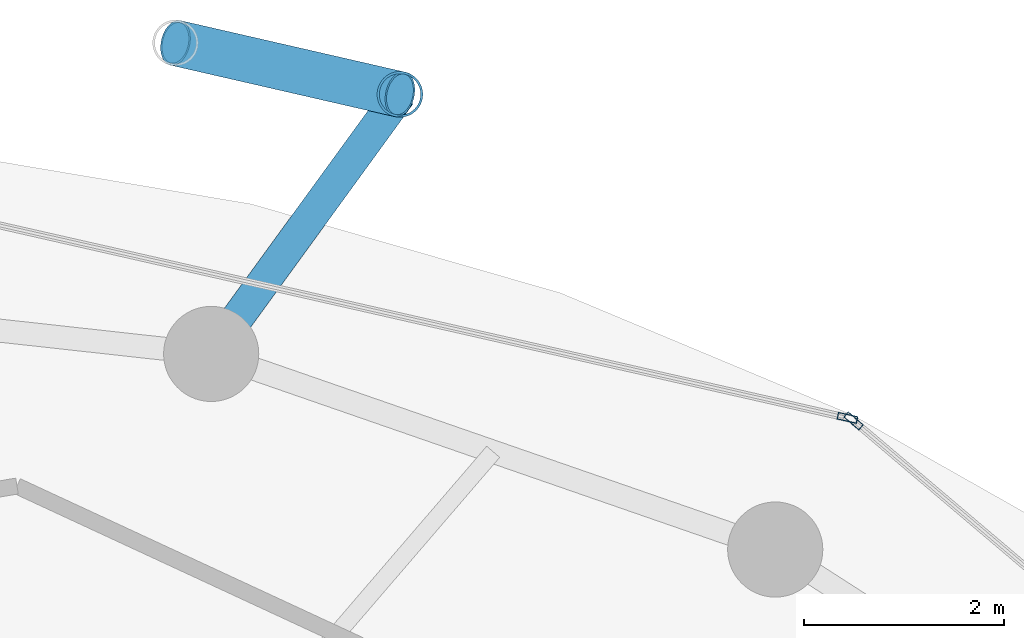
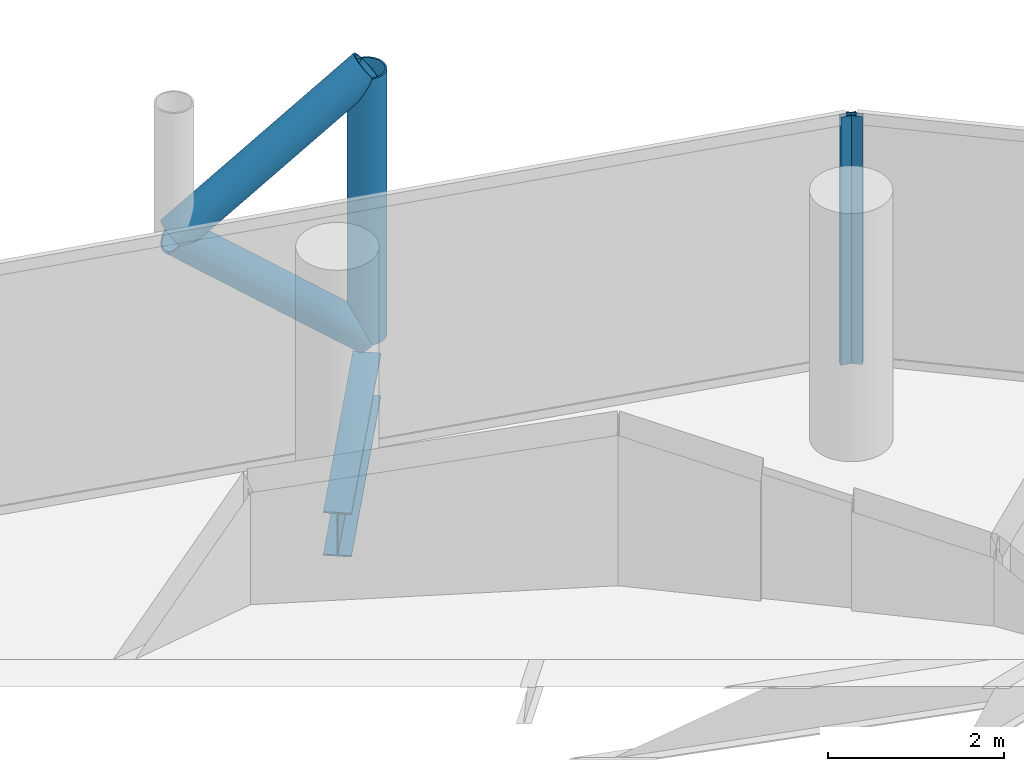
# One storey, part 20 of 26: 5 members, 1 beam, 2 elements without a shape of their own.
"""IFC4 building model written with IfcOpenShell, lengths in metres."""

import ifcopenshell
import ifcopenshell.guid

model = None  # the IFC model being written
_history = None  # IfcOwnerHistory: only IFC2X3 demands one
_inside = {}  # id of a spatial element -> (the spatial element, [elements in it])
_under = {}  # id of a project, library or spatial element -> (it, [spatial elements below it])
_declared = {}  # id of a project -> (the project, [libraries it declares])
_typed = {}  # id of a type object -> (the type object, [elements of that type])
_made_of = {}  # id of a material, layer set ... -> (it, [elements and type objects made of it])


def new_model(schema):
    """Start an empty IFC model of exactly this schema.

    Asked for "IFC4X3", IfcOpenShell would pick the latest addendum, in which some entities
    have other attributes; the version numbers below select the first issue.
    IFC2X3 requires an IfcOwnerHistory on every rooted entity: one is made here for all.
    """
    global model, _history
    if schema == "IFC4X3":
        model = ifcopenshell.file(schema_version=(4, 3, 0, 0))
    else:
        model = ifcopenshell.file(schema=schema)
    _inside.clear()
    _under.clear()
    _declared.clear()
    _typed.clear()
    _made_of.clear()
    _history = None
    if model.schema == "IFC2X3":
        org = make("IfcOrganization", Name="unknown")
        user = make(
            "IfcPersonAndOrganization",
            ThePerson=make("IfcPerson", FamilyName="unknown"),
            TheOrganization=org,
        )
        app = make(
            "IfcApplication",
            ApplicationDeveloper=org,
            Version="unknown",
            ApplicationFullName="unknown",
            ApplicationIdentifier="unknown",
        )
        _history = make(
            "IfcOwnerHistory",
            OwningUser=user,
            OwningApplication=app,
            ChangeAction="ADDED",
            CreationDate=0,
        )
    return model


def make(cls, **values):
    """One entity of the class cls with the attributes given. An attribute that is None is left unset."""
    return model.create_entity(
        cls, **{name: value for name, value in values.items() if value is not None}
    )


def rooted(cls, **values):
    """An entity with a GlobalId (a new one), such as an element, a storey or a relation."""
    return make(cls, GlobalId=ifcopenshell.guid.new(), OwnerHistory=_history, **values)


def si_unit(unit_type, name, prefix=None):
    """IfcSIUnit, for example si_unit("LENGTHUNIT", "METRE", prefix="MILLI")."""
    return make("IfcSIUnit", UnitType=unit_type, Prefix=prefix, Name=name)


def assignment(units):
    """IfcUnitAssignment: the units of a project."""
    return None if units is None else make("IfcUnitAssignment", Units=units)


def point(xyz):
    """IfcCartesianPoint."""
    return None if xyz is None else make("IfcCartesianPoint", Coordinates=xyz)


def direction(xyz):
    """IfcDirection."""
    return None if xyz is None else make("IfcDirection", DirectionRatios=xyz)


def frame(location, z_axis=None, x_axis=None):
    """IfcAxis2Placement3D, a coordinate frame: its origin and axes. An axis left out is left unset."""
    return make(
        "IfcAxis2Placement3D",
        Location=point(location),
        Axis=direction(z_axis),
        RefDirection=direction(x_axis),
    )


def frame_2d(location, x_axis=None):
    """IfcAxis2Placement2D, a coordinate frame in the plane: its origin and x axis."""
    return make(
        "IfcAxis2Placement2D", Location=point(location), RefDirection=direction(x_axis)
    )


def origin():
    """The frame at (0, 0, 0) with its axes left unset."""
    return frame((0.0, 0.0, 0.0))


def origin_2d():
    """The frame at (0, 0) in the plane with its x axis left unset."""
    return frame_2d((0.0, 0.0))


def place(relative_to, where):
    """IfcLocalPlacement: puts the frame where relative to a parent placement (None: the world)."""
    return make(
        "IfcLocalPlacement", PlacementRelTo=relative_to, RelativePlacement=where
    )


def context(
    kind, dimensions, precision=None, world=None, true_north=None, identifier=None
):
    """IfcGeometricRepresentationContext, for example the 3D "Model" context."""
    return make(
        "IfcGeometricRepresentationContext",
        ContextIdentifier=identifier,
        ContextType=kind,
        CoordinateSpaceDimension=dimensions,
        Precision=precision,
        WorldCoordinateSystem=world,
        TrueNorth=true_north,
    )


def subcontext(parent, identifier, kind, view, scale=None):
    """IfcGeometricRepresentationSubContext, for example "Body" below "Model"."""
    return make(
        "IfcGeometricRepresentationSubContext",
        ContextIdentifier=identifier,
        ContextType=kind,
        ParentContext=parent,
        TargetScale=scale,
        TargetView=view,
    )


def project(units=None, contexts=None):
    """IfcProject with its units and contexts."""
    return rooted(
        "IfcProject",
        Name="project",
        RepresentationContexts=contexts,
        UnitsInContext=assignment(units),
    )


def spatial(cls, under=None, at=None, **own):
    """A site, building, storey or space (cls), placed at a placement, below another one or the project."""
    s = rooted(cls, ObjectPlacement=at, **own)
    if under is not None:
        _under.setdefault(under.id(), (under, []))[1].append(s)
    return s


def profile(cls, at=None, kind="AREA", **sizes):
    """A parametric profile (cls). Its sizes go by their IFC names, for example OverallWidth=200.0."""
    return make(cls, ProfileType=kind, Position=at, **sizes)


def hollow_rectangle(**sizes):
    """IfcRectangleHollowProfileDef."""
    return profile("IfcRectangleHollowProfileDef", **sizes)


def hollow_circle(**sizes):
    """IfcCircleHollowProfileDef."""
    return profile("IfcCircleHollowProfileDef", **sizes)


def i_section(**sizes):
    """IfcIShapeProfileDef."""
    return profile("IfcIShapeProfileDef", **sizes)


def extrude(swept, where, along, depth):
    """IfcExtrudedAreaSolid: the profile swept, set in the frame where, extruded along a direction by depth."""
    return make(
        "IfcExtrudedAreaSolid",
        SweptArea=swept,
        Position=where,
        ExtrudedDirection=direction(along),
        Depth=depth,
    )


def shape(context_of_items, identifier, shape_type, items):
    """IfcShapeRepresentation: the items that make up one representation, for example the "Body"."""
    return make(
        "IfcShapeRepresentation",
        ContextOfItems=context_of_items,
        RepresentationIdentifier=identifier,
        RepresentationType=shape_type,
        Items=items,
    )


def material(Name=None, Category=None):
    """IfcMaterial."""
    return make("IfcMaterial", Name=Name, Category=Category)


def layer(
    of_material, thickness, ventilated=None, Name=None, Category=None, Priority=None
):
    """IfcMaterialLayer: one layer of a wall or slab, of a material (None: an air gap)."""
    return make(
        "IfcMaterialLayer",
        Material=of_material,
        LayerThickness=thickness,
        IsVentilated=ventilated,
        Name=Name,
        Category=Category,
        Priority=Priority,
    )


def layer_set(layers, Name=None):
    """IfcMaterialLayerSet."""
    return make("IfcMaterialLayerSet", MaterialLayers=layers, LayerSetName=Name)


def material_profile(
    of_material, cross_section, Name=None, Category=None, Priority=None
):
    """IfcMaterialProfile: a cross section and its material."""
    return make(
        "IfcMaterialProfile",
        Name=Name,
        Material=of_material,
        Profile=cross_section,
        Priority=Priority,
        Category=Category,
    )


def profile_set(profiles, Name=None, composite=None):
    """IfcMaterialProfileSet."""
    return make(
        "IfcMaterialProfileSet",
        Name=Name,
        MaterialProfiles=profiles,
        CompositeProfile=composite,
    )


def made_of(thing, what):
    """Note that an element or type object is made of a material, layer set ...; save() writes the relation."""
    if what is not None:
        _made_of.setdefault(what.id(), (what, []))[1].append(thing)
    return thing


def type_object(cls, material=None, **own):
    """A type object (cls), such as IfcWallType, which elements share."""
    return made_of(rooted(cls, **own), material)


def element(
    cls,
    number,
    at=None,
    inside=None,
    cuts=None,
    type_object=None,
    material=None,
    context=None,
    identifier="Body",
    shape_type=None,
    held_by="IfcProductDefinitionShape",
    body=None,
    shapes=None,
    **own,
):
    """One element of the class cls, such as IfcWall. Its Tag is "e" and its number.

    at: its placement. inside: the storey or other place that contains it. cuts: it is an
    opening in that element (IfcRelVoidsElement). A single representation is given by context,
    identifier, shape_type and body (its items); several are given by shapes. held_by: the class
    of the entity that holds the representations. save() writes the other relations.
    """
    e = rooted(cls, Tag="e%d" % number, ObjectPlacement=at, **own)
    if body is not None:
        shapes = [shape(context, identifier, shape_type, body)]
    if shapes is not None:
        e.Representation = make(held_by, Representations=shapes)
    if inside is not None:
        _inside.setdefault(inside.id(), (inside, []))[1].append(e)
    if cuts is not None:
        rooted(
            "IfcRelVoidsElement", RelatingBuildingElement=cuts, RelatedOpeningElement=e
        )
    if type_object is not None:
        _typed.setdefault(type_object.id(), (type_object, []))[1].append(e)
    return made_of(e, material)


def aggregate(whole, parts):
    """IfcRelAggregates: a whole, such as a stair, and the parts it consists of."""
    return rooted("IfcRelAggregates", RelatingObject=whole, RelatedObjects=parts)


def save(model, path):
    """Write the relations noted so far, then the file.

    IfcRelAggregates (storeys below a building ...), IfcRelContainedInSpatialStructure (elements
    in a storey), IfcRelDefinesByType, IfcRelAssociatesMaterial and IfcRelDeclares: one each for
    every whole, place, type object, material and project.
    """
    for whole, parts in _under.values():
        aggregate(whole, parts)
    for where, things in _inside.values():
        rooted(
            "IfcRelContainedInSpatialStructure",
            RelatedElements=things,
            RelatingStructure=where,
        )
    for kind, things in _typed.values():
        rooted("IfcRelDefinesByType", RelatedObjects=things, RelatingType=kind)
    for what, things in _made_of.values():
        rooted("IfcRelAssociatesMaterial", RelatedObjects=things, RelatingMaterial=what)
    for by, libraries in _declared.values():
        rooted("IfcRelDeclares", RelatingContext=by, RelatedDefinitions=libraries)
    model.write(path)


model = new_model("IFC4")

# Units and contexts
model_context = context("Model", 3, precision=1e-05, world=origin(), true_north=direction((0.0, 1.0)))
body_context = subcontext(model_context, "Body", "Model", "MODEL_VIEW")
ifc_project = project(units=[si_unit("LENGTHUNIT", "METRE"), si_unit("AREAUNIT", "SQUARE_METRE"), si_unit("VOLUMEUNIT", "CUBIC_METRE"), si_unit("PLANEANGLEUNIT", "RADIAN"), si_unit("MASSUNIT", "GRAM", prefix="KILO")], contexts=[model_context])

# Site, building, storey
site_placement = place(None, origin())
site = spatial("IfcSite", under=ifc_project, at=site_placement, CompositionType="ELEMENT")
building_placement = place(site_placement, origin())
building = spatial("IfcBuilding", under=site, at=building_placement, Name="Nuhasar Tower", CompositionType="ELEMENT")
storey_placement = place(building_placement, frame((0.0, 0.0, 177.449951171875)))
storey = spatial("IfcBuildingStorey", under=building, at=storey_placement, Name="L43", CompositionType="ELEMENT", Elevation=177.449951171875)

# Beam
ifc_material_1 = material(Name="Steel S355", Category="steel")
ifc_material_profile_1 = material_profile(ifc_material_1, i_section(OverallWidth=0.323974609375, OverallDepth=0.611083984375, WebThickness=0.0126953125, FlangeThickness=0.01904296875, at=origin_2d()), Name="W24X104")
ifc_profile_set_1 = profile_set([ifc_material_profile_1], Name="Steel S355")
beam_type = type_object("IfcBeamType", Name="BM-TIE-W24X104", PredefinedType="BEAM", material=ifc_profile_set_1)
beam_placement = place(storey_placement, frame((45.04296875, 45.68408203125, -0.555908203125), z_axis=(0.588185286445, 0.808726201387, 0.0), x_axis=(-0.808726201387, 0.588185286445, 0.0)))
element("IfcBeam", 1, at=beam_placement, inside=storey, type_object=beam_type, Name="L43 Exoskeleton Node Tie Beam 03", PredefinedType="BEAM", context=body_context, shape_type="SweptSolid", body=[
    extrude(i_section(OverallWidth=0.323974609375, OverallDepth=0.611083984375, WebThickness=0.0126953125, FlangeThickness=0.01904296875, at=origin_2d()), origin(), (0.0, 0.0, 1.0), 3.204833984375),
])

# Curtain wall, member
ifc_material_2 = material(Name="Aluminium 6063-T6", Category="aluminium")
ifc_layer = layer(ifc_material_2, 0.199951171875)
ifc_layer_set = layer_set([ifc_layer], Name="Aluminium 6063-T6")
curtain_wall_type = type_object("IfcCurtainWallType", Name="CW-Z2-HTL", PredefinedType="NOTDEFINED", material=ifc_layer_set)
curtain_wall_1_placement = place(storey_placement, origin())
curtain_wall_1 = element("IfcCurtainWall", 2, at=curtain_wall_1_placement, inside=storey, type_object=curtain_wall_type, Name="L43 Unitised Curtain Wall 02", PredefinedType="NOTDEFINED")
ifc_material_profile_2 = material_profile(ifc_material_2, hollow_rectangle(XDim=0.070068359375, YDim=0.199951171875, WallThickness=0.0048828125, at=origin_2d()), Name="CWM-3")
ifc_profile_set_2 = profile_set([ifc_material_profile_2], Name="Aluminium 6063-T6")
member_type_1 = type_object("IfcMemberType", Name="CW-MUL-S3", PredefinedType="MULLION", material=ifc_profile_set_2)
member_1_placement = place(storey_placement, frame((51.456787109375, 45.015380859375, 0.0), z_axis=(0.0, 0.0, 1.0), x_axis=(-0.646374438324, -0.763020370292, 0.0)))
member_1 = element("IfcMember", 3, at=member_1_placement, type_object=member_type_1, Name="CW-Z2 mullion 2", PredefinedType="MULLION", context=body_context, shape_type="SweptSolid", body=[
    extrude(hollow_rectangle(XDim=0.070068359375, YDim=0.199951171875, WallThickness=0.0048828125, at=origin_2d()), origin(), (0.0, 0.0, 1.0), 3.449951171875),
])
aggregate(curtain_wall_1, [member_1])

curtain_wall_2_placement = place(storey_placement, origin())
curtain_wall_2 = element("IfcCurtainWall", 4, at=curtain_wall_2_placement, inside=storey, type_object=curtain_wall_type, Name="L43 Unitised Curtain Wall 03", PredefinedType="NOTDEFINED")
member_2_placement = place(storey_placement, frame((51.395751953125, 45.045654296875, 0.0), z_axis=(0.0, 0.0, 1.0), x_axis=(-0.22139729566, -0.975183694221, 0.0)))
member_2 = element("IfcMember", 5, at=member_2_placement, type_object=member_type_1, Name="CW-Z2 mullion 1", PredefinedType="MULLION", context=body_context, shape_type="SweptSolid", body=[
    extrude(hollow_rectangle(XDim=0.070068359375, YDim=0.199951171875, WallThickness=0.0048828125, at=origin_2d()), origin(), (0.0, 0.0, 1.0), 3.449951171875),
])
aggregate(curtain_wall_2, [member_2])

# Members
ifc_material_3 = material(Name="Steel S460", Category="steel")
ifc_material_profile_3 = material_profile(ifc_material_3, hollow_circle(Radius=0.228515625, WallThickness=0.022216796875, at=origin_2d()), Name="HSS457X22.2")
ifc_profile_set_3 = profile_set([ifc_material_profile_3], Name="Steel S460")
member_type_2 = type_object("IfcMemberType", Name="EXO-BRONZE-457", PredefinedType="BRACE", material=ifc_profile_set_3)
member_3_placement = place(storey_placement, frame((46.927978515625, 48.27587890625, 0.0), z_axis=(0.0, 0.0, 1.0), x_axis=(1.0, 0.0, 0.0)))
element("IfcMember", 6, at=member_3_placement, inside=storey, type_object=member_type_2, Name="L43 Exoskeleton Chord Column EC-03A", PredefinedType="BRACE", context=body_context, shape_type="SweptSolid", body=[
    extrude(hollow_circle(Radius=0.228515625, WallThickness=0.022216796875, at=origin_2d()), origin(), (0.0, 0.0, 1.0), 3.699951171875),
])
member_4_placement = place(storey_placement, frame((46.927978515625, 48.27587890625, 0.0), z_axis=(-0.759499549084, 0.174181209885, 0.626754609927), x_axis=(-0.223533724104, -0.974696195842, 0.0)))
element("IfcMember", 7, at=member_4_placement, inside=storey, type_object=member_type_2, Name="L43 Bronze Diagrid Brace W1-03", PredefinedType="BRACE", context=body_context, shape_type="SweptSolid", body=[
    extrude(hollow_circle(Radius=0.228515625, WallThickness=0.022216796875, at=origin_2d()), origin(), (0.0, 0.0, 1.0), 2.951904296875),
])
member_5_placement = place(storey_placement, frame((44.68603515625, 48.7900390625, 1.85009765625), z_axis=(0.759538919781, -0.174190239035, 0.626704388019), x_axis=(0.223533724104, 0.974696195842, 0.0)))
element("IfcMember", 8, at=member_5_placement, inside=storey, type_object=member_type_2, Name="L43 Bronze Diagrid Brace W2-03", PredefinedType="BRACE", context=body_context, shape_type="SweptSolid", body=[
    extrude(hollow_circle(Radius=0.228515625, WallThickness=0.022216796875, at=origin_2d()), origin(), (0.0, 0.0, 1.0), 2.95166015625),
])

save(model, "model.ifc")
